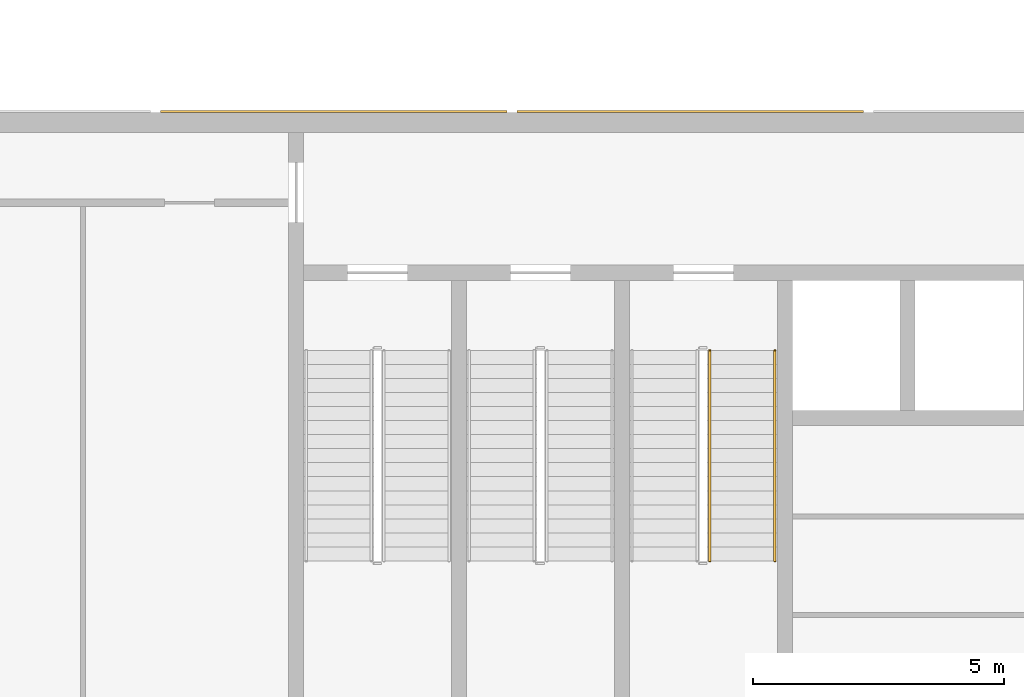
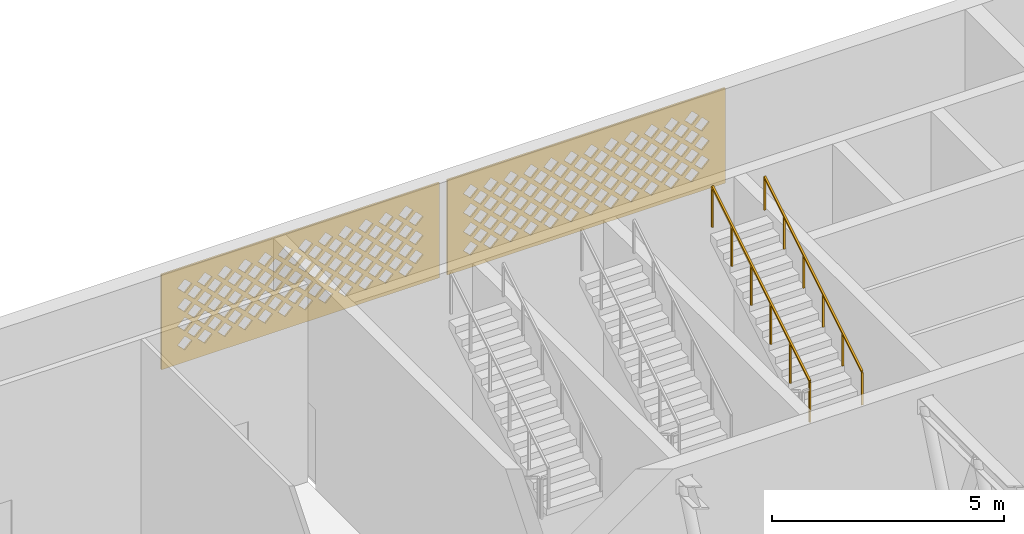
# One storey, part 43 of 69: 2 coverings, 2 railings.
"""IFC4 building model written with IfcOpenShell, lengths in metres."""

from ifc_helpers import new_model, si_unit, direction, frame, origin, origin_2d, place, context, subcontext, project, spatial, polyline, rectangle, outline, extrude, material, layer, layer_set, type_object, element, save


model = new_model("IFC4")

# Units and contexts
model_context = context("Model", 3, precision=1e-05, world=origin(), true_north=direction((0.0, 1.0)))
body_context = subcontext(model_context, "Body", "Model", "MODEL_VIEW")
ifc_project = project(units=[si_unit("LENGTHUNIT", "METRE"), si_unit("AREAUNIT", "SQUARE_METRE"), si_unit("VOLUMEUNIT", "CUBIC_METRE"), si_unit("PLANEANGLEUNIT", "RADIAN"), si_unit("MASSUNIT", "GRAM", prefix="KILO")], contexts=[model_context])

# Site, building, storey
site_placement = place(None, origin())
site = spatial("IfcSite", under=ifc_project, at=site_placement, CompositionType="ELEMENT")
building_placement = place(site_placement, origin())
building = spatial("IfcBuilding", under=site, at=building_placement, Name="Noorbagh Ring Tower", CompositionType="ELEMENT")
storey_placement = place(building_placement, frame((0.0, 0.0, 19.5)))
storey = spatial("IfcBuildingStorey", under=building, at=storey_placement, Name="L03", CompositionType="ELEMENT", Elevation=19.5)

# Coverings
ifc_material_1 = material(Name="Red sandstone jali", Category="masonry")
ifc_layer = layer(ifc_material_1, 0.0400390625)
ifc_layer_set = layer_set([ifc_layer], Name="Red sandstone jali")
covering_type = type_object("IfcCoveringType", Name="STH-BAND", PredefinedType="USERDEFINED", material=ifc_layer_set)
covering_1_placement = place(storey_placement, frame((-116.933349609375, 31.0400390625, 2.699951171875), z_axis=(0.0, 1.0, 0.0), x_axis=(-1.0, 0.0, 0.0)))
element("IfcCovering", 1, at=covering_1_placement, inside=storey, type_object=covering_type, Name="Jali band", ObjectType="JALI SCREEN", PredefinedType="USERDEFINED", context=body_context, shape_type="SweptSolid", body=[
    extrude(outline(polyline([(0.0, 0.0), (6.9111328125, 0.0), (6.9111328125, 2.5), (0.0, 2.5), (0.0, 0.0)]), holes=[polyline([(0.650634765625, 0.5), (0.83056640625, 0.320068359375), (1.010498046875, 0.5), (0.83056640625, 0.679931640625), (0.650634765625, 0.5)]), polyline([(1.150634765625, 0.5), (1.33056640625, 0.320068359375), (1.510498046875, 0.5), (1.33056640625, 0.679931640625), (1.150634765625, 0.5)]), polyline([(1.650634765625, 0.5), (1.83056640625, 0.320068359375), (2.010498046875, 0.5), (1.83056640625, 0.679931640625), (1.650634765625, 0.5)]), polyline([(2.150634765625, 0.5), (2.33056640625, 0.320068359375), (2.510498046875, 0.5), (2.33056640625, 0.679931640625), (2.150634765625, 0.5)]), polyline([(2.650634765625, 0.5), (2.83056640625, 0.320068359375), (3.010498046875, 0.5), (2.83056640625, 0.679931640625), (2.650634765625, 0.5)]), polyline([(3.150634765625, 0.5), (3.33056640625, 0.320068359375), (3.510498046875, 0.5), (3.33056640625, 0.679931640625), (3.150634765625, 0.5)]), polyline([(3.650634765625, 0.5), (3.83056640625, 0.320068359375), (4.010498046875, 0.5), (3.83056640625, 0.679931640625), (3.650634765625, 0.5)]), polyline([(4.150634765625, 0.5), (4.33056640625, 0.320068359375), (4.510498046875, 0.5), (4.33056640625, 0.679931640625), (4.150634765625, 0.5)]), polyline([(4.650634765625, 0.5), (4.83056640625, 0.320068359375), (5.010498046875, 0.5), (4.83056640625, 0.679931640625), (4.650634765625, 0.5)]), polyline([(5.150634765625, 0.5), (5.33056640625, 0.320068359375), (5.510498046875, 0.5), (5.33056640625, 0.679931640625), (5.150634765625, 0.5)]), polyline([(5.650634765625, 0.5), (5.83056640625, 0.320068359375), (6.010498046875, 0.5), (5.83056640625, 0.679931640625), (5.650634765625, 0.5)]), polyline([(6.150634765625, 0.5), (6.33056640625, 0.320068359375), (6.510498046875, 0.5), (6.33056640625, 0.679931640625), (6.150634765625, 0.5)]), polyline([(0.400634765625, 0.75), (0.58056640625, 0.570068359375), (0.760498046875, 0.75), (0.58056640625, 0.929931640625), (0.400634765625, 0.75)]), polyline([(0.900634765625, 0.75), (1.08056640625, 0.570068359375), (1.260498046875, 0.75), (1.08056640625, 0.929931640625), (0.900634765625, 0.75)]), polyline([(1.400634765625, 0.75), (1.58056640625, 0.570068359375), (1.760498046875, 0.75), (1.58056640625, 0.929931640625), (1.400634765625, 0.75)]), polyline([(1.900634765625, 0.75), (2.08056640625, 0.570068359375), (2.260498046875, 0.75), (2.08056640625, 0.929931640625), (1.900634765625, 0.75)]), polyline([(2.400634765625, 0.75), (2.58056640625, 0.570068359375), (2.760498046875, 0.75), (2.58056640625, 0.929931640625), (2.400634765625, 0.75)]), polyline([(2.900634765625, 0.75), (3.08056640625, 0.570068359375), (3.260498046875, 0.75), (3.08056640625, 0.929931640625), (2.900634765625, 0.75)]), polyline([(3.400634765625, 0.75), (3.58056640625, 0.570068359375), (3.760498046875, 0.75), (3.58056640625, 0.929931640625), (3.400634765625, 0.75)]), polyline([(3.900634765625, 0.75), (4.08056640625, 0.570068359375), (4.260498046875, 0.75), (4.08056640625, 0.929931640625), (3.900634765625, 0.75)]), polyline([(4.400634765625, 0.75), (4.58056640625, 0.570068359375), (4.760498046875, 0.75), (4.58056640625, 0.929931640625), (4.400634765625, 0.75)]), polyline([(4.900634765625, 0.75), (5.08056640625, 0.570068359375), (5.260498046875, 0.75), (5.08056640625, 0.929931640625), (4.900634765625, 0.75)]), polyline([(5.400634765625, 0.75), (5.58056640625, 0.570068359375), (5.760498046875, 0.75), (5.58056640625, 0.929931640625), (5.400634765625, 0.75)]), polyline([(5.900634765625, 0.75), (6.08056640625, 0.570068359375), (6.260498046875, 0.75), (6.08056640625, 0.929931640625), (5.900634765625, 0.75)]), polyline([(0.650634765625, 1.0), (0.83056640625, 0.820068359375), (1.010498046875, 1.0), (0.83056640625, 1.179931640625), (0.650634765625, 1.0)]), polyline([(1.150634765625, 1.0), (1.33056640625, 0.820068359375), (1.510498046875, 1.0), (1.33056640625, 1.179931640625), (1.150634765625, 1.0)]), polyline([(1.650634765625, 1.0), (1.83056640625, 0.820068359375), (2.010498046875, 1.0), (1.83056640625, 1.179931640625), (1.650634765625, 1.0)]), polyline([(2.150634765625, 1.0), (2.33056640625, 0.820068359375), (2.510498046875, 1.0), (2.33056640625, 1.179931640625), (2.150634765625, 1.0)]), polyline([(2.650634765625, 1.0), (2.83056640625, 0.820068359375), (3.010498046875, 1.0), (2.83056640625, 1.179931640625), (2.650634765625, 1.0)]), polyline([(3.150634765625, 1.0), (3.33056640625, 0.820068359375), (3.510498046875, 1.0), (3.33056640625, 1.179931640625), (3.150634765625, 1.0)]), polyline([(3.650634765625, 1.0), (3.83056640625, 0.820068359375), (4.010498046875, 1.0), (3.83056640625, 1.179931640625), (3.650634765625, 1.0)]), polyline([(4.150634765625, 1.0), (4.33056640625, 0.820068359375), (4.510498046875, 1.0), (4.33056640625, 1.179931640625), (4.150634765625, 1.0)]), polyline([(4.650634765625, 1.0), (4.83056640625, 0.820068359375), (5.010498046875, 1.0), (4.83056640625, 1.179931640625), (4.650634765625, 1.0)]), polyline([(5.150634765625, 1.0), (5.33056640625, 0.820068359375), (5.510498046875, 1.0), (5.33056640625, 1.179931640625), (5.150634765625, 1.0)]), polyline([(5.650634765625, 1.0), (5.83056640625, 0.820068359375), (6.010498046875, 1.0), (5.83056640625, 1.179931640625), (5.650634765625, 1.0)]), polyline([(6.150634765625, 1.0), (6.33056640625, 0.820068359375), (6.510498046875, 1.0), (6.33056640625, 1.179931640625), (6.150634765625, 1.0)]), polyline([(0.400634765625, 1.25), (0.58056640625, 1.070068359375), (0.760498046875, 1.25), (0.58056640625, 1.429931640625), (0.400634765625, 1.25)]), polyline([(0.900634765625, 1.25), (1.08056640625, 1.070068359375), (1.260498046875, 1.25), (1.08056640625, 1.429931640625), (0.900634765625, 1.25)]), polyline([(1.400634765625, 1.25), (1.58056640625, 1.070068359375), (1.760498046875, 1.25), (1.58056640625, 1.429931640625), (1.400634765625, 1.25)]), polyline([(1.900634765625, 1.25), (2.08056640625, 1.070068359375), (2.260498046875, 1.25), (2.08056640625, 1.429931640625), (1.900634765625, 1.25)]), polyline([(2.400634765625, 1.25), (2.58056640625, 1.070068359375), (2.760498046875, 1.25), (2.58056640625, 1.429931640625), (2.400634765625, 1.25)]), polyline([(2.900634765625, 1.25), (3.08056640625, 1.070068359375), (3.260498046875, 1.25), (3.08056640625, 1.429931640625), (2.900634765625, 1.25)]), polyline([(3.400634765625, 1.25), (3.58056640625, 1.070068359375), (3.760498046875, 1.25), (3.58056640625, 1.429931640625), (3.400634765625, 1.25)]), polyline([(3.900634765625, 1.25), (4.08056640625, 1.070068359375), (4.260498046875, 1.25), (4.08056640625, 1.429931640625), (3.900634765625, 1.25)]), polyline([(4.400634765625, 1.25), (4.58056640625, 1.070068359375), (4.760498046875, 1.25), (4.58056640625, 1.429931640625), (4.400634765625, 1.25)]), polyline([(4.900634765625, 1.25), (5.08056640625, 1.070068359375), (5.260498046875, 1.25), (5.08056640625, 1.429931640625), (4.900634765625, 1.25)]), polyline([(5.400634765625, 1.25), (5.58056640625, 1.070068359375), (5.760498046875, 1.25), (5.58056640625, 1.429931640625), (5.400634765625, 1.25)]), polyline([(5.900634765625, 1.25), (6.08056640625, 1.070068359375), (6.260498046875, 1.25), (6.08056640625, 1.429931640625), (5.900634765625, 1.25)]), polyline([(0.650634765625, 1.5), (0.83056640625, 1.320068359375), (1.010498046875, 1.5), (0.83056640625, 1.679931640625), (0.650634765625, 1.5)]), polyline([(1.150634765625, 1.5), (1.33056640625, 1.320068359375), (1.510498046875, 1.5), (1.33056640625, 1.679931640625), (1.150634765625, 1.5)]), polyline([(1.650634765625, 1.5), (1.83056640625, 1.320068359375), (2.010498046875, 1.5), (1.83056640625, 1.679931640625), (1.650634765625, 1.5)]), polyline([(2.150634765625, 1.5), (2.33056640625, 1.320068359375), (2.510498046875, 1.5), (2.33056640625, 1.679931640625), (2.150634765625, 1.5)]), polyline([(2.650634765625, 1.5), (2.83056640625, 1.320068359375), (3.010498046875, 1.5), (2.83056640625, 1.679931640625), (2.650634765625, 1.5)]), polyline([(3.150634765625, 1.5), (3.33056640625, 1.320068359375), (3.510498046875, 1.5), (3.33056640625, 1.679931640625), (3.150634765625, 1.5)]), polyline([(3.650634765625, 1.5), (3.83056640625, 1.320068359375), (4.010498046875, 1.5), (3.83056640625, 1.679931640625), (3.650634765625, 1.5)]), polyline([(4.150634765625, 1.5), (4.33056640625, 1.320068359375), (4.510498046875, 1.5), (4.33056640625, 1.679931640625), (4.150634765625, 1.5)]), polyline([(4.650634765625, 1.5), (4.83056640625, 1.320068359375), (5.010498046875, 1.5), (4.83056640625, 1.679931640625), (4.650634765625, 1.5)]), polyline([(5.150634765625, 1.5), (5.33056640625, 1.320068359375), (5.510498046875, 1.5), (5.33056640625, 1.679931640625), (5.150634765625, 1.5)]), polyline([(5.650634765625, 1.5), (5.83056640625, 1.320068359375), (6.010498046875, 1.5), (5.83056640625, 1.679931640625), (5.650634765625, 1.5)]), polyline([(6.150634765625, 1.5), (6.33056640625, 1.320068359375), (6.510498046875, 1.5), (6.33056640625, 1.679931640625), (6.150634765625, 1.5)]), polyline([(0.400634765625, 1.75), (0.58056640625, 1.570068359375), (0.760498046875, 1.75), (0.58056640625, 1.929931640625), (0.400634765625, 1.75)]), polyline([(0.900634765625, 1.75), (1.08056640625, 1.570068359375), (1.260498046875, 1.75), (1.08056640625, 1.929931640625), (0.900634765625, 1.75)]), polyline([(1.400634765625, 1.75), (1.58056640625, 1.570068359375), (1.760498046875, 1.75), (1.58056640625, 1.929931640625), (1.400634765625, 1.75)]), polyline([(1.900634765625, 1.75), (2.08056640625, 1.570068359375), (2.260498046875, 1.75), (2.08056640625, 1.929931640625), (1.900634765625, 1.75)]), polyline([(2.400634765625, 1.75), (2.58056640625, 1.570068359375), (2.760498046875, 1.75), (2.58056640625, 1.929931640625), (2.400634765625, 1.75)]), polyline([(2.900634765625, 1.75), (3.08056640625, 1.570068359375), (3.260498046875, 1.75), (3.08056640625, 1.929931640625), (2.900634765625, 1.75)]), polyline([(3.400634765625, 1.75), (3.58056640625, 1.570068359375), (3.760498046875, 1.75), (3.58056640625, 1.929931640625), (3.400634765625, 1.75)]), polyline([(3.900634765625, 1.75), (4.08056640625, 1.570068359375), (4.260498046875, 1.75), (4.08056640625, 1.929931640625), (3.900634765625, 1.75)]), polyline([(4.400634765625, 1.75), (4.58056640625, 1.570068359375), (4.760498046875, 1.75), (4.58056640625, 1.929931640625), (4.400634765625, 1.75)]), polyline([(4.900634765625, 1.75), (5.08056640625, 1.570068359375), (5.260498046875, 1.75), (5.08056640625, 1.929931640625), (4.900634765625, 1.75)]), polyline([(5.400634765625, 1.75), (5.58056640625, 1.570068359375), (5.760498046875, 1.75), (5.58056640625, 1.929931640625), (5.400634765625, 1.75)]), polyline([(5.900634765625, 1.75), (6.08056640625, 1.570068359375), (6.260498046875, 1.75), (6.08056640625, 1.929931640625), (5.900634765625, 1.75)]), polyline([(0.650634765625, 2.0), (0.83056640625, 1.820068359375), (1.010498046875, 2.0), (0.83056640625, 2.179931640625), (0.650634765625, 2.0)]), polyline([(1.150634765625, 2.0), (1.33056640625, 1.820068359375), (1.510498046875, 2.0), (1.33056640625, 2.179931640625), (1.150634765625, 2.0)]), polyline([(1.650634765625, 2.0), (1.83056640625, 1.820068359375), (2.010498046875, 2.0), (1.83056640625, 2.179931640625), (1.650634765625, 2.0)]), polyline([(2.150634765625, 2.0), (2.33056640625, 1.820068359375), (2.510498046875, 2.0), (2.33056640625, 2.179931640625), (2.150634765625, 2.0)]), polyline([(2.650634765625, 2.0), (2.83056640625, 1.820068359375), (3.010498046875, 2.0), (2.83056640625, 2.179931640625), (2.650634765625, 2.0)]), polyline([(3.150634765625, 2.0), (3.33056640625, 1.820068359375), (3.510498046875, 2.0), (3.33056640625, 2.179931640625), (3.150634765625, 2.0)]), polyline([(3.650634765625, 2.0), (3.83056640625, 1.820068359375), (4.010498046875, 2.0), (3.83056640625, 2.179931640625), (3.650634765625, 2.0)]), polyline([(4.150634765625, 2.0), (4.33056640625, 1.820068359375), (4.510498046875, 2.0), (4.33056640625, 2.179931640625), (4.150634765625, 2.0)]), polyline([(4.650634765625, 2.0), (4.83056640625, 1.820068359375), (5.010498046875, 2.0), (4.83056640625, 2.179931640625), (4.650634765625, 2.0)]), polyline([(5.150634765625, 2.0), (5.33056640625, 1.820068359375), (5.510498046875, 2.0), (5.33056640625, 2.179931640625), (5.150634765625, 2.0)]), polyline([(5.650634765625, 2.0), (5.83056640625, 1.820068359375), (6.010498046875, 2.0), (5.83056640625, 2.179931640625), (5.650634765625, 2.0)]), polyline([(6.150634765625, 2.0), (6.33056640625, 1.820068359375), (6.510498046875, 2.0), (6.33056640625, 2.179931640625), (6.150634765625, 2.0)])]), origin(), (0.0, 0.0, -1.0), 0.0400390625),
])
covering_2_placement = place(storey_placement, frame((-124.04443359375, 31.0400390625, 2.699951171875), z_axis=(0.0, 1.0, 0.0), x_axis=(-1.0, 0.0, 0.0)))
element("IfcCovering", 2, at=covering_2_placement, inside=storey, type_object=covering_type, Name="Jali band", ObjectType="JALI SCREEN", PredefinedType="USERDEFINED", context=body_context, shape_type="SweptSolid", body=[
    extrude(outline(polyline([(0.0, 0.0), (6.9111328125, 0.0), (6.9111328125, 2.5), (0.0, 2.5), (0.0, 0.0)]), holes=[polyline([(0.650634765625, 0.5), (0.83056640625, 0.320068359375), (1.010498046875, 0.5), (0.83056640625, 0.679931640625), (0.650634765625, 0.5)]), polyline([(1.150634765625, 0.5), (1.33056640625, 0.320068359375), (1.510498046875, 0.5), (1.33056640625, 0.679931640625), (1.150634765625, 0.5)]), polyline([(1.650634765625, 0.5), (1.83056640625, 0.320068359375), (2.010498046875, 0.5), (1.83056640625, 0.679931640625), (1.650634765625, 0.5)]), polyline([(2.150634765625, 0.5), (2.33056640625, 0.320068359375), (2.510498046875, 0.5), (2.33056640625, 0.679931640625), (2.150634765625, 0.5)]), polyline([(2.650634765625, 0.5), (2.83056640625, 0.320068359375), (3.010498046875, 0.5), (2.83056640625, 0.679931640625), (2.650634765625, 0.5)]), polyline([(3.150634765625, 0.5), (3.33056640625, 0.320068359375), (3.510498046875, 0.5), (3.33056640625, 0.679931640625), (3.150634765625, 0.5)]), polyline([(3.650634765625, 0.5), (3.83056640625, 0.320068359375), (4.010498046875, 0.5), (3.83056640625, 0.679931640625), (3.650634765625, 0.5)]), polyline([(4.150634765625, 0.5), (4.33056640625, 0.320068359375), (4.510498046875, 0.5), (4.33056640625, 0.679931640625), (4.150634765625, 0.5)]), polyline([(4.650634765625, 0.5), (4.83056640625, 0.320068359375), (5.010498046875, 0.5), (4.83056640625, 0.679931640625), (4.650634765625, 0.5)]), polyline([(5.150634765625, 0.5), (5.33056640625, 0.320068359375), (5.510498046875, 0.5), (5.33056640625, 0.679931640625), (5.150634765625, 0.5)]), polyline([(5.650634765625, 0.5), (5.83056640625, 0.320068359375), (6.010498046875, 0.5), (5.83056640625, 0.679931640625), (5.650634765625, 0.5)]), polyline([(6.150634765625, 0.5), (6.33056640625, 0.320068359375), (6.510498046875, 0.5), (6.33056640625, 0.679931640625), (6.150634765625, 0.5)]), polyline([(0.400634765625, 0.75), (0.58056640625, 0.570068359375), (0.760498046875, 0.75), (0.58056640625, 0.929931640625), (0.400634765625, 0.75)]), polyline([(0.900634765625, 0.75), (1.08056640625, 0.570068359375), (1.260498046875, 0.75), (1.08056640625, 0.929931640625), (0.900634765625, 0.75)]), polyline([(1.400634765625, 0.75), (1.58056640625, 0.570068359375), (1.760498046875, 0.75), (1.58056640625, 0.929931640625), (1.400634765625, 0.75)]), polyline([(1.900634765625, 0.75), (2.08056640625, 0.570068359375), (2.260498046875, 0.75), (2.08056640625, 0.929931640625), (1.900634765625, 0.75)]), polyline([(2.400634765625, 0.75), (2.58056640625, 0.570068359375), (2.760498046875, 0.75), (2.58056640625, 0.929931640625), (2.400634765625, 0.75)]), polyline([(2.900634765625, 0.75), (3.08056640625, 0.570068359375), (3.260498046875, 0.75), (3.08056640625, 0.929931640625), (2.900634765625, 0.75)]), polyline([(3.400634765625, 0.75), (3.58056640625, 0.570068359375), (3.760498046875, 0.75), (3.58056640625, 0.929931640625), (3.400634765625, 0.75)]), polyline([(3.900634765625, 0.75), (4.08056640625, 0.570068359375), (4.260498046875, 0.75), (4.08056640625, 0.929931640625), (3.900634765625, 0.75)]), polyline([(4.400634765625, 0.75), (4.58056640625, 0.570068359375), (4.760498046875, 0.75), (4.58056640625, 0.929931640625), (4.400634765625, 0.75)]), polyline([(4.900634765625, 0.75), (5.08056640625, 0.570068359375), (5.260498046875, 0.75), (5.08056640625, 0.929931640625), (4.900634765625, 0.75)]), polyline([(5.400634765625, 0.75), (5.58056640625, 0.570068359375), (5.760498046875, 0.75), (5.58056640625, 0.929931640625), (5.400634765625, 0.75)]), polyline([(5.900634765625, 0.75), (6.08056640625, 0.570068359375), (6.260498046875, 0.75), (6.08056640625, 0.929931640625), (5.900634765625, 0.75)]), polyline([(0.650634765625, 1.0), (0.83056640625, 0.820068359375), (1.010498046875, 1.0), (0.83056640625, 1.179931640625), (0.650634765625, 1.0)]), polyline([(1.150634765625, 1.0), (1.33056640625, 0.820068359375), (1.510498046875, 1.0), (1.33056640625, 1.179931640625), (1.150634765625, 1.0)]), polyline([(1.650634765625, 1.0), (1.83056640625, 0.820068359375), (2.010498046875, 1.0), (1.83056640625, 1.179931640625), (1.650634765625, 1.0)]), polyline([(2.150634765625, 1.0), (2.33056640625, 0.820068359375), (2.510498046875, 1.0), (2.33056640625, 1.179931640625), (2.150634765625, 1.0)]), polyline([(2.650634765625, 1.0), (2.83056640625, 0.820068359375), (3.010498046875, 1.0), (2.83056640625, 1.179931640625), (2.650634765625, 1.0)]), polyline([(3.150634765625, 1.0), (3.33056640625, 0.820068359375), (3.510498046875, 1.0), (3.33056640625, 1.179931640625), (3.150634765625, 1.0)]), polyline([(3.650634765625, 1.0), (3.83056640625, 0.820068359375), (4.010498046875, 1.0), (3.83056640625, 1.179931640625), (3.650634765625, 1.0)]), polyline([(4.150634765625, 1.0), (4.33056640625, 0.820068359375), (4.510498046875, 1.0), (4.33056640625, 1.179931640625), (4.150634765625, 1.0)]), polyline([(4.650634765625, 1.0), (4.83056640625, 0.820068359375), (5.010498046875, 1.0), (4.83056640625, 1.179931640625), (4.650634765625, 1.0)]), polyline([(5.150634765625, 1.0), (5.33056640625, 0.820068359375), (5.510498046875, 1.0), (5.33056640625, 1.179931640625), (5.150634765625, 1.0)]), polyline([(5.650634765625, 1.0), (5.83056640625, 0.820068359375), (6.010498046875, 1.0), (5.83056640625, 1.179931640625), (5.650634765625, 1.0)]), polyline([(6.150634765625, 1.0), (6.33056640625, 0.820068359375), (6.510498046875, 1.0), (6.33056640625, 1.179931640625), (6.150634765625, 1.0)]), polyline([(0.400634765625, 1.25), (0.58056640625, 1.070068359375), (0.760498046875, 1.25), (0.58056640625, 1.429931640625), (0.400634765625, 1.25)]), polyline([(0.900634765625, 1.25), (1.08056640625, 1.070068359375), (1.260498046875, 1.25), (1.08056640625, 1.429931640625), (0.900634765625, 1.25)]), polyline([(1.400634765625, 1.25), (1.58056640625, 1.070068359375), (1.760498046875, 1.25), (1.58056640625, 1.429931640625), (1.400634765625, 1.25)]), polyline([(1.900634765625, 1.25), (2.08056640625, 1.070068359375), (2.260498046875, 1.25), (2.08056640625, 1.429931640625), (1.900634765625, 1.25)]), polyline([(2.400634765625, 1.25), (2.58056640625, 1.070068359375), (2.760498046875, 1.25), (2.58056640625, 1.429931640625), (2.400634765625, 1.25)]), polyline([(2.900634765625, 1.25), (3.08056640625, 1.070068359375), (3.260498046875, 1.25), (3.08056640625, 1.429931640625), (2.900634765625, 1.25)]), polyline([(3.400634765625, 1.25), (3.58056640625, 1.070068359375), (3.760498046875, 1.25), (3.58056640625, 1.429931640625), (3.400634765625, 1.25)]), polyline([(3.900634765625, 1.25), (4.08056640625, 1.070068359375), (4.260498046875, 1.25), (4.08056640625, 1.429931640625), (3.900634765625, 1.25)]), polyline([(4.400634765625, 1.25), (4.58056640625, 1.070068359375), (4.760498046875, 1.25), (4.58056640625, 1.429931640625), (4.400634765625, 1.25)]), polyline([(4.900634765625, 1.25), (5.08056640625, 1.070068359375), (5.260498046875, 1.25), (5.08056640625, 1.429931640625), (4.900634765625, 1.25)]), polyline([(5.400634765625, 1.25), (5.58056640625, 1.070068359375), (5.760498046875, 1.25), (5.58056640625, 1.429931640625), (5.400634765625, 1.25)]), polyline([(5.900634765625, 1.25), (6.08056640625, 1.070068359375), (6.260498046875, 1.25), (6.08056640625, 1.429931640625), (5.900634765625, 1.25)]), polyline([(0.650634765625, 1.5), (0.83056640625, 1.320068359375), (1.010498046875, 1.5), (0.83056640625, 1.679931640625), (0.650634765625, 1.5)]), polyline([(1.150634765625, 1.5), (1.33056640625, 1.320068359375), (1.510498046875, 1.5), (1.33056640625, 1.679931640625), (1.150634765625, 1.5)]), polyline([(1.650634765625, 1.5), (1.83056640625, 1.320068359375), (2.010498046875, 1.5), (1.83056640625, 1.679931640625), (1.650634765625, 1.5)]), polyline([(2.150634765625, 1.5), (2.33056640625, 1.320068359375), (2.510498046875, 1.5), (2.33056640625, 1.679931640625), (2.150634765625, 1.5)]), polyline([(2.650634765625, 1.5), (2.83056640625, 1.320068359375), (3.010498046875, 1.5), (2.83056640625, 1.679931640625), (2.650634765625, 1.5)]), polyline([(3.150634765625, 1.5), (3.33056640625, 1.320068359375), (3.510498046875, 1.5), (3.33056640625, 1.679931640625), (3.150634765625, 1.5)]), polyline([(3.650634765625, 1.5), (3.83056640625, 1.320068359375), (4.010498046875, 1.5), (3.83056640625, 1.679931640625), (3.650634765625, 1.5)]), polyline([(4.150634765625, 1.5), (4.33056640625, 1.320068359375), (4.510498046875, 1.5), (4.33056640625, 1.679931640625), (4.150634765625, 1.5)]), polyline([(4.650634765625, 1.5), (4.83056640625, 1.320068359375), (5.010498046875, 1.5), (4.83056640625, 1.679931640625), (4.650634765625, 1.5)]), polyline([(5.150634765625, 1.5), (5.33056640625, 1.320068359375), (5.510498046875, 1.5), (5.33056640625, 1.679931640625), (5.150634765625, 1.5)]), polyline([(5.650634765625, 1.5), (5.83056640625, 1.320068359375), (6.010498046875, 1.5), (5.83056640625, 1.679931640625), (5.650634765625, 1.5)]), polyline([(6.150634765625, 1.5), (6.33056640625, 1.320068359375), (6.510498046875, 1.5), (6.33056640625, 1.679931640625), (6.150634765625, 1.5)]), polyline([(0.400634765625, 1.75), (0.58056640625, 1.570068359375), (0.760498046875, 1.75), (0.58056640625, 1.929931640625), (0.400634765625, 1.75)]), polyline([(0.900634765625, 1.75), (1.08056640625, 1.570068359375), (1.260498046875, 1.75), (1.08056640625, 1.929931640625), (0.900634765625, 1.75)]), polyline([(1.400634765625, 1.75), (1.58056640625, 1.570068359375), (1.760498046875, 1.75), (1.58056640625, 1.929931640625), (1.400634765625, 1.75)]), polyline([(1.900634765625, 1.75), (2.08056640625, 1.570068359375), (2.260498046875, 1.75), (2.08056640625, 1.929931640625), (1.900634765625, 1.75)]), polyline([(2.400634765625, 1.75), (2.58056640625, 1.570068359375), (2.760498046875, 1.75), (2.58056640625, 1.929931640625), (2.400634765625, 1.75)]), polyline([(2.900634765625, 1.75), (3.08056640625, 1.570068359375), (3.260498046875, 1.75), (3.08056640625, 1.929931640625), (2.900634765625, 1.75)]), polyline([(3.400634765625, 1.75), (3.58056640625, 1.570068359375), (3.760498046875, 1.75), (3.58056640625, 1.929931640625), (3.400634765625, 1.75)]), polyline([(3.900634765625, 1.75), (4.08056640625, 1.570068359375), (4.260498046875, 1.75), (4.08056640625, 1.929931640625), (3.900634765625, 1.75)]), polyline([(4.400634765625, 1.75), (4.58056640625, 1.570068359375), (4.760498046875, 1.75), (4.58056640625, 1.929931640625), (4.400634765625, 1.75)]), polyline([(4.900634765625, 1.75), (5.08056640625, 1.570068359375), (5.260498046875, 1.75), (5.08056640625, 1.929931640625), (4.900634765625, 1.75)]), polyline([(5.400634765625, 1.75), (5.58056640625, 1.570068359375), (5.760498046875, 1.75), (5.58056640625, 1.929931640625), (5.400634765625, 1.75)]), polyline([(5.900634765625, 1.75), (6.08056640625, 1.570068359375), (6.260498046875, 1.75), (6.08056640625, 1.929931640625), (5.900634765625, 1.75)]), polyline([(0.650634765625, 2.0), (0.83056640625, 1.820068359375), (1.010498046875, 2.0), (0.83056640625, 2.179931640625), (0.650634765625, 2.0)]), polyline([(1.150634765625, 2.0), (1.33056640625, 1.820068359375), (1.510498046875, 2.0), (1.33056640625, 2.179931640625), (1.150634765625, 2.0)]), polyline([(1.650634765625, 2.0), (1.83056640625, 1.820068359375), (2.010498046875, 2.0), (1.83056640625, 2.179931640625), (1.650634765625, 2.0)]), polyline([(2.150634765625, 2.0), (2.33056640625, 1.820068359375), (2.510498046875, 2.0), (2.33056640625, 2.179931640625), (2.150634765625, 2.0)]), polyline([(2.650634765625, 2.0), (2.83056640625, 1.820068359375), (3.010498046875, 2.0), (2.83056640625, 2.179931640625), (2.650634765625, 2.0)]), polyline([(3.150634765625, 2.0), (3.33056640625, 1.820068359375), (3.510498046875, 2.0), (3.33056640625, 2.179931640625), (3.150634765625, 2.0)]), polyline([(3.650634765625, 2.0), (3.83056640625, 1.820068359375), (4.010498046875, 2.0), (3.83056640625, 2.179931640625), (3.650634765625, 2.0)]), polyline([(4.150634765625, 2.0), (4.33056640625, 1.820068359375), (4.510498046875, 2.0), (4.33056640625, 2.179931640625), (4.150634765625, 2.0)]), polyline([(4.650634765625, 2.0), (4.83056640625, 1.820068359375), (5.010498046875, 2.0), (4.83056640625, 2.179931640625), (4.650634765625, 2.0)]), polyline([(5.150634765625, 2.0), (5.33056640625, 1.820068359375), (5.510498046875, 2.0), (5.33056640625, 2.179931640625), (5.150634765625, 2.0)]), polyline([(5.650634765625, 2.0), (5.83056640625, 1.820068359375), (6.010498046875, 2.0), (5.83056640625, 2.179931640625), (5.650634765625, 2.0)]), polyline([(6.150634765625, 2.0), (6.33056640625, 1.820068359375), (6.510498046875, 2.0), (6.33056640625, 2.179931640625), (6.150634765625, 2.0)])]), origin(), (0.0, 0.0, -1.0), 0.0400390625),
])

# Railings
ifc_material_2 = material(Name="Stainless steel", Category="steel")
railing_type_1 = type_object("IfcRailingType", Name="TH-STAIR-GUARD", PredefinedType="GUARDRAIL", material=ifc_material_2)
railing_1_placement = place(storey_placement, frame((-120.0, 22.050048828125, 2.921875)))
element("IfcRailing", 3, at=railing_1_placement, inside=storey, type_object=railing_type_1, Name="L03 TSN2 stair guard 3", PredefinedType="GUARDRAIL", context=body_context, shape_type="SweptSolid", body=[
    extrude(rectangle(XDim=0.048095703125, YDim=0.048095703125, at=origin_2d()), frame((0.0, 0.0, 1.076171875), z_axis=(0.0, 0.852242915053, 0.523146264196), x_axis=(-1.0, 0.0, 0.0)), (0.0, 0.0, 1.0), 4.92822265625),
    extrude(rectangle(XDim=0.0419921875, YDim=0.0419921875, at=origin_2d()), origin(), (0.0, 0.0, 1.0), 1.052001953125),
    extrude(rectangle(XDim=0.0419921875, YDim=0.0419921875, at=origin_2d()), frame((0.0, 0.840087890625, 0.515625)), (0.0, 0.0, 1.0), 1.052001953125),
    extrude(rectangle(XDim=0.0419921875, YDim=0.0419921875, at=origin_2d()), frame((0.0, 1.679931640625, 1.03125)), (0.0, 0.0, 1.0), 1.052001953125),
    extrude(rectangle(XDim=0.0419921875, YDim=0.0419921875, at=origin_2d()), frame((0.0, 2.52001953125, 1.546875)), (0.0, 0.0, 1.0), 1.052001953125),
    extrude(rectangle(XDim=0.0419921875, YDim=0.0419921875, at=origin_2d()), frame((0.0, 3.35986328125, 2.0625)), (0.0, 0.0, 1.0), 1.052001953125),
    extrude(rectangle(XDim=0.0419921875, YDim=0.0419921875, at=origin_2d()), frame((0.0, 4.199951171875, 2.578125)), (0.0, 0.0, 1.0), 1.052001953125),
])
ifc_material_3 = material(Name="Stainless steel", Category="steel")
railing_type_2 = type_object("IfcRailingType", Name="TH-STAIR-HANDRAIL", PredefinedType="HANDRAIL", material=ifc_material_3)
railing_2_placement = place(storey_placement, frame((-118.699951171875, 22.050048828125, 2.921875)))
element("IfcRailing", 4, at=railing_2_placement, inside=storey, type_object=railing_type_2, Name="L03 TSN2 stair handrail 2", PredefinedType="HANDRAIL", context=body_context, shape_type="SweptSolid", body=[
    extrude(rectangle(XDim=0.048095703125, YDim=0.048095703125, at=origin_2d()), frame((0.0, 0.0, 0.8759765625), z_axis=(0.0, 0.852242915053, 0.523146264196), x_axis=(-1.0, 0.0, 0.0)), (0.0, 0.0, 1.0), 4.92822265625),
    extrude(rectangle(XDim=0.0419921875, YDim=0.0419921875, at=origin_2d()), origin(), (0.0, 0.0, 1.0), 0.851806640625),
    extrude(rectangle(XDim=0.0419921875, YDim=0.0419921875, at=origin_2d()), frame((0.0, 0.840087890625, 0.515625)), (0.0, 0.0, 1.0), 0.851806640625),
    extrude(rectangle(XDim=0.0419921875, YDim=0.0419921875, at=origin_2d()), frame((0.0, 1.679931640625, 1.03125)), (0.0, 0.0, 1.0), 0.851806640625),
    extrude(rectangle(XDim=0.0419921875, YDim=0.0419921875, at=origin_2d()), frame((0.0, 2.52001953125, 1.546875)), (0.0, 0.0, 1.0), 0.851806640625),
    extrude(rectangle(XDim=0.0419921875, YDim=0.0419921875, at=origin_2d()), frame((0.0, 3.35986328125, 2.0625)), (0.0, 0.0, 1.0), 0.851806640625),
    extrude(rectangle(XDim=0.0419921875, YDim=0.0419921875, at=origin_2d()), frame((0.0, 4.199951171875, 2.578125)), (0.0, 0.0, 1.0), 0.851806640625),
])

save(model, "model.ifc")
